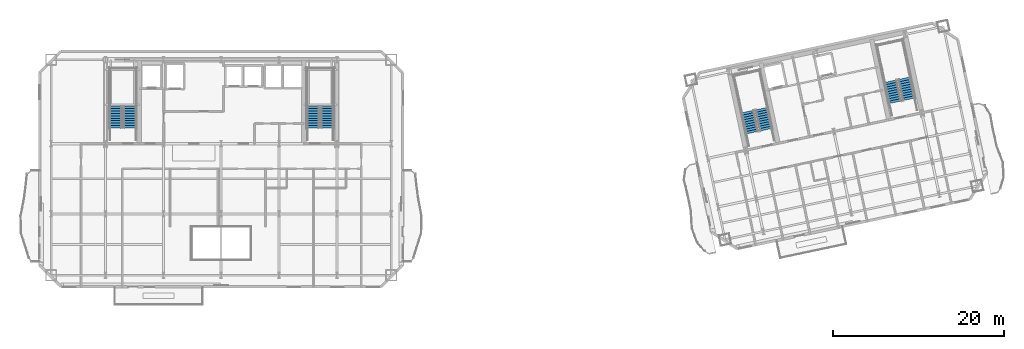
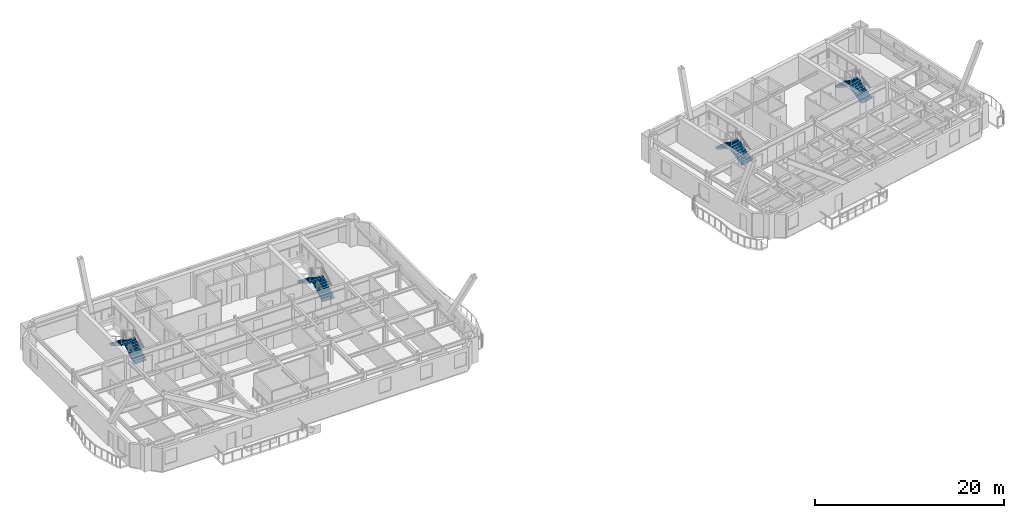
# One storey, part 9 of 13: 8 stair flights, 4 elements without a shape of their own.
"""IFC4 building model written with IfcOpenShell, lengths in metres."""

import ifcopenshell
import ifcopenshell.guid

model = None  # the IFC model being written
_history = None  # IfcOwnerHistory: only IFC2X3 demands one
_inside = {}  # id of a spatial element -> (the spatial element, [elements in it])
_under = {}  # id of a project, library or spatial element -> (it, [spatial elements below it])
_declared = {}  # id of a project -> (the project, [libraries it declares])
_typed = {}  # id of a type object -> (the type object, [elements of that type])
_made_of = {}  # id of a material, layer set ... -> (it, [elements and type objects made of it])


def new_model(schema):
    """Start an empty IFC model of exactly this schema.

    Asked for "IFC4X3", IfcOpenShell would pick the latest addendum, in which some entities
    have other attributes; the version numbers below select the first issue.
    IFC2X3 requires an IfcOwnerHistory on every rooted entity: one is made here for all.
    """
    global model, _history
    if schema == "IFC4X3":
        model = ifcopenshell.file(schema_version=(4, 3, 0, 0))
    else:
        model = ifcopenshell.file(schema=schema)
    _inside.clear()
    _under.clear()
    _declared.clear()
    _typed.clear()
    _made_of.clear()
    _history = None
    if model.schema == "IFC2X3":
        org = make("IfcOrganization", Name="unknown")
        user = make(
            "IfcPersonAndOrganization",
            ThePerson=make("IfcPerson", FamilyName="unknown"),
            TheOrganization=org,
        )
        app = make(
            "IfcApplication",
            ApplicationDeveloper=org,
            Version="unknown",
            ApplicationFullName="unknown",
            ApplicationIdentifier="unknown",
        )
        _history = make(
            "IfcOwnerHistory",
            OwningUser=user,
            OwningApplication=app,
            ChangeAction="ADDED",
            CreationDate=0,
        )
    return model


def make(cls, **values):
    """One entity of the class cls with the attributes given. An attribute that is None is left unset."""
    return model.create_entity(
        cls, **{name: value for name, value in values.items() if value is not None}
    )


def rooted(cls, **values):
    """An entity with a GlobalId (a new one), such as an element, a storey or a relation."""
    return make(cls, GlobalId=ifcopenshell.guid.new(), OwnerHistory=_history, **values)


def si_unit(unit_type, name, prefix=None):
    """IfcSIUnit, for example si_unit("LENGTHUNIT", "METRE", prefix="MILLI")."""
    return make("IfcSIUnit", UnitType=unit_type, Prefix=prefix, Name=name)


def assignment(units):
    """IfcUnitAssignment: the units of a project."""
    return None if units is None else make("IfcUnitAssignment", Units=units)


def point(xyz):
    """IfcCartesianPoint."""
    return None if xyz is None else make("IfcCartesianPoint", Coordinates=xyz)


def direction(xyz):
    """IfcDirection."""
    return None if xyz is None else make("IfcDirection", DirectionRatios=xyz)


def frame(location, z_axis=None, x_axis=None):
    """IfcAxis2Placement3D, a coordinate frame: its origin and axes. An axis left out is left unset."""
    return make(
        "IfcAxis2Placement3D",
        Location=point(location),
        Axis=direction(z_axis),
        RefDirection=direction(x_axis),
    )


def origin():
    """The frame at (0, 0, 0) with its axes left unset."""
    return frame((0.0, 0.0, 0.0))


def place(relative_to, where):
    """IfcLocalPlacement: puts the frame where relative to a parent placement (None: the world)."""
    return make(
        "IfcLocalPlacement", PlacementRelTo=relative_to, RelativePlacement=where
    )


def context(
    kind, dimensions, precision=None, world=None, true_north=None, identifier=None
):
    """IfcGeometricRepresentationContext, for example the 3D "Model" context."""
    return make(
        "IfcGeometricRepresentationContext",
        ContextIdentifier=identifier,
        ContextType=kind,
        CoordinateSpaceDimension=dimensions,
        Precision=precision,
        WorldCoordinateSystem=world,
        TrueNorth=true_north,
    )


def subcontext(parent, identifier, kind, view, scale=None):
    """IfcGeometricRepresentationSubContext, for example "Body" below "Model"."""
    return make(
        "IfcGeometricRepresentationSubContext",
        ContextIdentifier=identifier,
        ContextType=kind,
        ParentContext=parent,
        TargetScale=scale,
        TargetView=view,
    )


def project(units=None, contexts=None):
    """IfcProject with its units and contexts."""
    return rooted(
        "IfcProject",
        Name="project",
        RepresentationContexts=contexts,
        UnitsInContext=assignment(units),
    )


def spatial(cls, under=None, at=None, **own):
    """A site, building, storey or space (cls), placed at a placement, below another one or the project."""
    s = rooted(cls, ObjectPlacement=at, **own)
    if under is not None:
        _under.setdefault(under.id(), (under, []))[1].append(s)
    return s


def polyline(points):
    """IfcPolyline through the points."""
    return make("IfcPolyline", Points=[point(p) for p in points])


def outline(outer, holes=None, kind="AREA"):
    """IfcArbitraryClosedProfileDef: a profile drawn as a closed curve; with holes, ...WithVoids."""
    if holes is None:
        return make("IfcArbitraryClosedProfileDef", ProfileType=kind, OuterCurve=outer)
    return make(
        "IfcArbitraryProfileDefWithVoids",
        ProfileType=kind,
        OuterCurve=outer,
        InnerCurves=holes,
    )


def extrude(swept, where, along, depth):
    """IfcExtrudedAreaSolid: the profile swept, set in the frame where, extruded along a direction by depth."""
    return make(
        "IfcExtrudedAreaSolid",
        SweptArea=swept,
        Position=where,
        ExtrudedDirection=direction(along),
        Depth=depth,
    )


def shape(context_of_items, identifier, shape_type, items):
    """IfcShapeRepresentation: the items that make up one representation, for example the "Body"."""
    return make(
        "IfcShapeRepresentation",
        ContextOfItems=context_of_items,
        RepresentationIdentifier=identifier,
        RepresentationType=shape_type,
        Items=items,
    )


def material(Name=None, Category=None):
    """IfcMaterial."""
    return make("IfcMaterial", Name=Name, Category=Category)


def made_of(thing, what):
    """Note that an element or type object is made of a material, layer set ...; save() writes the relation."""
    if what is not None:
        _made_of.setdefault(what.id(), (what, []))[1].append(thing)
    return thing


def type_object(cls, material=None, **own):
    """A type object (cls), such as IfcWallType, which elements share."""
    return made_of(rooted(cls, **own), material)


def element(
    cls,
    number,
    at=None,
    inside=None,
    cuts=None,
    type_object=None,
    material=None,
    context=None,
    identifier="Body",
    shape_type=None,
    held_by="IfcProductDefinitionShape",
    body=None,
    shapes=None,
    **own,
):
    """One element of the class cls, such as IfcWall. Its Tag is "e" and its number.

    at: its placement. inside: the storey or other place that contains it. cuts: it is an
    opening in that element (IfcRelVoidsElement). A single representation is given by context,
    identifier, shape_type and body (its items); several are given by shapes. held_by: the class
    of the entity that holds the representations. save() writes the other relations.
    """
    e = rooted(cls, Tag="e%d" % number, ObjectPlacement=at, **own)
    if body is not None:
        shapes = [shape(context, identifier, shape_type, body)]
    if shapes is not None:
        e.Representation = make(held_by, Representations=shapes)
    if inside is not None:
        _inside.setdefault(inside.id(), (inside, []))[1].append(e)
    if cuts is not None:
        rooted(
            "IfcRelVoidsElement", RelatingBuildingElement=cuts, RelatedOpeningElement=e
        )
    if type_object is not None:
        _typed.setdefault(type_object.id(), (type_object, []))[1].append(e)
    return made_of(e, material)


def aggregate(whole, parts):
    """IfcRelAggregates: a whole, such as a stair, and the parts it consists of."""
    return rooted("IfcRelAggregates", RelatingObject=whole, RelatedObjects=parts)


def save(model, path):
    """Write the relations noted so far, then the file.

    IfcRelAggregates (storeys below a building ...), IfcRelContainedInSpatialStructure (elements
    in a storey), IfcRelDefinesByType, IfcRelAssociatesMaterial and IfcRelDeclares: one each for
    every whole, place, type object, material and project.
    """
    for whole, parts in _under.values():
        aggregate(whole, parts)
    for where, things in _inside.values():
        rooted(
            "IfcRelContainedInSpatialStructure",
            RelatedElements=things,
            RelatingStructure=where,
        )
    for kind, things in _typed.values():
        rooted("IfcRelDefinesByType", RelatedObjects=things, RelatingType=kind)
    for what, things in _made_of.values():
        rooted("IfcRelAssociatesMaterial", RelatedObjects=things, RelatingMaterial=what)
    for by, libraries in _declared.values():
        rooted("IfcRelDeclares", RelatingContext=by, RelatedDefinitions=libraries)
    model.write(path)


model = new_model("IFC4")

# Units and contexts
model_context = context("Model", 3, precision=1e-05, world=origin(), true_north=direction((0.0, 1.0)))
body_context = subcontext(model_context, "Body", "Model", "MODEL_VIEW")
ifc_project = project(units=[si_unit("LENGTHUNIT", "METRE"), si_unit("AREAUNIT", "SQUARE_METRE"), si_unit("VOLUMEUNIT", "CUBIC_METRE"), si_unit("PLANEANGLEUNIT", "RADIAN"), si_unit("MASSUNIT", "GRAM", prefix="KILO")], contexts=[model_context])

# Site, building, storey
site_placement = place(None, origin())
site = spatial("IfcSite", under=ifc_project, at=site_placement, CompositionType="ELEMENT")
building_placement = place(site_placement, origin())
building = spatial("IfcBuilding", under=site, at=building_placement, Name="Haevon Station Towers", CompositionType="ELEMENT")
storey_placement = place(building_placement, frame((0.0, 0.0, 146.10009765625)))
storey = spatial("IfcBuildingStorey", under=building, at=storey_placement, Name="L39", CompositionType="ELEMENT", Elevation=146.10009765625)

# Stair, stair flights
ifc_material = material(Name="Concrete C40/50", Category="concrete")
stair_type = type_object("IfcStairType", Name="STR-DL1450", PredefinedType="USERDEFINED", material=ifc_material)
stair_1_placement = place(storey_placement, origin())
stair_1 = element("IfcStair", 1, at=stair_1_placement, inside=storey, type_object=stair_type, Name="L39 Escape Stair ST1", ObjectType="TWO_RETURN_STAIR", PredefinedType="USERDEFINED")
stair_flight_type = type_object("IfcStairFlightType", Name="STF-ST1450", PredefinedType="STRAIGHT", material=ifc_material)
stair_flight_1_placement = place(storey_placement, frame((26.85498046875, 40.050048828125, 0.0), z_axis=(0.0, 0.0, 1.0), x_axis=(0.0, 1.0, 0.0)))
stair_flight_1 = element("IfcStairFlight", 2, at=stair_flight_1_placement, type_object=stair_flight_type, Name="L39 ST1 Flight 1", NumberOfRisers=10, NumberOfTreads=9, PredefinedType="STRAIGHT", RiserHeight=0.165, TreadLength=0.28, context=body_context, shape_type="SweptSolid", body=[
    extrude(outline(polyline([(0.0, 0.0), (0.0, 0.1650390625), (0.280029296875, 0.1650390625), (0.280029296875, 0.330078125), (0.56005859375, 0.330078125), (0.56005859375, 0.4951171875), (0.840087890625, 0.4951171875), (0.840087890625, 0.659912109375), (1.1201171875, 0.659912109375), (1.1201171875, 0.824951171875), (1.39990234375, 0.824951171875), (1.39990234375, 0.989990234375), (1.679931640625, 0.989990234375), (1.679931640625, 1.155029296875), (1.9599609375, 1.155029296875), (1.9599609375, 1.320068359375), (2.239990234375, 1.320068359375), (2.239990234375, 1.485107421875), (2.52001953125, 1.485107421875), (2.52001953125, 1.64990234375), (2.52001953125, 1.29931640625), (0.31494140625, 0.0), (0.0, 0.0)])), frame((0.0, 0.72509765625, 0.0), z_axis=(0.0, -1.0, 0.0), x_axis=(1.0, 0.0, 0.0)), (0.0, 0.0, 1.0), 1.449951171875),
])
stair_flight_2_placement = place(storey_placement, frame((25.205078125, 42.570068359375, 1.64990234375), z_axis=(0.0, 0.0, 1.0), x_axis=(0.0, -1.0, 0.0)))
stair_flight_2 = element("IfcStairFlight", 3, at=stair_flight_2_placement, type_object=stair_flight_type, Name="L39 ST1 Flight 2", NumberOfRisers=10, NumberOfTreads=9, PredefinedType="STRAIGHT", RiserHeight=0.165, TreadLength=0.28, context=body_context, shape_type="SweptSolid", body=[
    extrude(outline(polyline([(0.0, 0.0), (0.0, 0.1650390625), (0.280029296875, 0.1650390625), (0.280029296875, 0.330078125), (0.56005859375, 0.330078125), (0.56005859375, 0.4951171875), (0.840087890625, 0.4951171875), (0.840087890625, 0.659912109375), (1.1201171875, 0.659912109375), (1.1201171875, 0.824951171875), (1.39990234375, 0.824951171875), (1.39990234375, 0.989990234375), (1.679931640625, 0.989990234375), (1.679931640625, 1.155029296875), (1.9599609375, 1.155029296875), (1.9599609375, 1.320068359375), (2.239990234375, 1.320068359375), (2.239990234375, 1.485107421875), (2.52001953125, 1.485107421875), (2.52001953125, 1.64990234375), (2.52001953125, 1.29931640625), (0.31494140625, 0.0), (0.0, 0.0)])), frame((0.0, 0.72509765625, 0.0), z_axis=(0.0, -1.0, 0.0), x_axis=(1.0, 0.0, 0.0)), (0.0, 0.0, 1.0), 1.449951171875),
])
aggregate(stair_1, [stair_flight_1, stair_flight_2])

stair_2_placement = place(storey_placement, origin())
stair_2 = element("IfcStair", 4, at=stair_2_placement, inside=storey, type_object=stair_type, Name="L39 Escape Stair ST2", ObjectType="TWO_RETURN_STAIR", PredefinedType="USERDEFINED")
stair_flight_3_placement = place(storey_placement, frame((49.89501953125, 40.050048828125, 0.0), z_axis=(0.0, 0.0, 1.0), x_axis=(0.0, 1.0, 0.0)))
stair_flight_3 = element("IfcStairFlight", 5, at=stair_flight_3_placement, type_object=stair_flight_type, Name="L39 ST2 Flight 1", NumberOfRisers=10, NumberOfTreads=9, PredefinedType="STRAIGHT", RiserHeight=0.165, TreadLength=0.28, context=body_context, shape_type="SweptSolid", body=[
    extrude(outline(polyline([(0.0, 0.0), (0.0, 0.1650390625), (0.280029296875, 0.1650390625), (0.280029296875, 0.330078125), (0.56005859375, 0.330078125), (0.56005859375, 0.4951171875), (0.840087890625, 0.4951171875), (0.840087890625, 0.659912109375), (1.1201171875, 0.659912109375), (1.1201171875, 0.824951171875), (1.39990234375, 0.824951171875), (1.39990234375, 0.989990234375), (1.679931640625, 0.989990234375), (1.679931640625, 1.155029296875), (1.9599609375, 1.155029296875), (1.9599609375, 1.320068359375), (2.239990234375, 1.320068359375), (2.239990234375, 1.485107421875), (2.52001953125, 1.485107421875), (2.52001953125, 1.64990234375), (2.52001953125, 1.29931640625), (0.31494140625, 0.0), (0.0, 0.0)])), frame((0.0, 0.72509765625, 0.0), z_axis=(0.0, -1.0, 0.0), x_axis=(1.0, 0.0, 0.0)), (0.0, 0.0, 1.0), 1.449951171875),
])
stair_flight_4_placement = place(storey_placement, frame((48.2451171875, 42.570068359375, 1.64990234375), z_axis=(0.0, 0.0, 1.0), x_axis=(0.0, -1.0, 0.0)))
stair_flight_4 = element("IfcStairFlight", 6, at=stair_flight_4_placement, type_object=stair_flight_type, Name="L39 ST2 Flight 2", NumberOfRisers=10, NumberOfTreads=9, PredefinedType="STRAIGHT", RiserHeight=0.165, TreadLength=0.28, context=body_context, shape_type="SweptSolid", body=[
    extrude(outline(polyline([(0.0, 0.0), (0.0, 0.1650390625), (0.280029296875, 0.1650390625), (0.280029296875, 0.330078125), (0.56005859375, 0.330078125), (0.56005859375, 0.4951171875), (0.840087890625, 0.4951171875), (0.840087890625, 0.659912109375), (1.1201171875, 0.659912109375), (1.1201171875, 0.824951171875), (1.39990234375, 0.824951171875), (1.39990234375, 0.989990234375), (1.679931640625, 0.989990234375), (1.679931640625, 1.155029296875), (1.9599609375, 1.155029296875), (1.9599609375, 1.320068359375), (2.239990234375, 1.320068359375), (2.239990234375, 1.485107421875), (2.52001953125, 1.485107421875), (2.52001953125, 1.64990234375), (2.52001953125, 1.29931640625), (0.31494140625, 0.0), (0.0, 0.0)])), frame((0.0, 0.72509765625, 0.0), z_axis=(0.0, -1.0, 0.0), x_axis=(1.0, 0.0, 0.0)), (0.0, 0.0, 1.0), 1.449951171875),
])
aggregate(stair_2, [stair_flight_3, stair_flight_4])

stair_3_placement = place(storey_placement, origin())
stair_3 = element("IfcStair", 7, at=stair_3_placement, inside=storey, type_object=stair_type, Name="L39 Escape Stair ST3", ObjectType="TWO_RETURN_STAIR", PredefinedType="USERDEFINED")
stair_flight_5_placement = place(storey_placement, frame((101.1015625, 39.8330078125, 0.0), z_axis=(0.0, 0.0, 1.0), x_axis=(-0.207911690818, 0.978147600734, 0.0)))
stair_flight_5 = element("IfcStairFlight", 8, at=stair_flight_5_placement, type_object=stair_flight_type, Name="L39 ST3 Flight 1", NumberOfRisers=10, NumberOfTreads=9, PredefinedType="STRAIGHT", RiserHeight=0.165, TreadLength=0.28, context=body_context, shape_type="SweptSolid", body=[
    extrude(outline(polyline([(0.0, 0.0), (0.0, 0.1650390625), (0.280029296875, 0.1650390625), (0.280029296875, 0.330078125), (0.56005859375, 0.330078125), (0.56005859375, 0.4951171875), (0.840087890625, 0.4951171875), (0.840087890625, 0.659912109375), (1.1201171875, 0.659912109375), (1.1201171875, 0.824951171875), (1.39990234375, 0.824951171875), (1.39990234375, 0.989990234375), (1.679931640625, 0.989990234375), (1.679931640625, 1.155029296875), (1.9599609375, 1.155029296875), (1.9599609375, 1.320068359375), (2.239990234375, 1.320068359375), (2.239990234375, 1.485107421875), (2.52001953125, 1.485107421875), (2.52001953125, 1.64990234375), (2.52001953125, 1.29931640625), (0.31494140625, 0.0), (0.0, 0.0)])), frame((0.0, 0.72509765625, 0.0), z_axis=(0.0, -1.0, 0.0), x_axis=(1.0, 0.0, 0.0)), (0.0, 0.0, 1.0), 1.449951171875),
])
stair_flight_6_placement = place(storey_placement, frame((98.9638671875, 41.955078125, 1.64990234375), z_axis=(0.0, 0.0, 1.0), x_axis=(0.207911690818, -0.978147600734, 0.0)))
stair_flight_6 = element("IfcStairFlight", 9, at=stair_flight_6_placement, type_object=stair_flight_type, Name="L39 ST3 Flight 2", NumberOfRisers=10, NumberOfTreads=9, PredefinedType="STRAIGHT", RiserHeight=0.165, TreadLength=0.28, context=body_context, shape_type="SweptSolid", body=[
    extrude(outline(polyline([(0.0, 0.0), (0.0, 0.1650390625), (0.280029296875, 0.1650390625), (0.280029296875, 0.330078125), (0.56005859375, 0.330078125), (0.56005859375, 0.4951171875), (0.840087890625, 0.4951171875), (0.840087890625, 0.659912109375), (1.1201171875, 0.659912109375), (1.1201171875, 0.824951171875), (1.39990234375, 0.824951171875), (1.39990234375, 0.989990234375), (1.679931640625, 0.989990234375), (1.679931640625, 1.155029296875), (1.9599609375, 1.155029296875), (1.9599609375, 1.320068359375), (2.239990234375, 1.320068359375), (2.239990234375, 1.485107421875), (2.52001953125, 1.485107421875), (2.52001953125, 1.64990234375), (2.52001953125, 1.29931640625), (0.31494140625, 0.0), (0.0, 0.0)])), frame((0.0, 0.72509765625, 0.0), z_axis=(0.0, -1.0, 0.0), x_axis=(1.0, 0.0, 0.0)), (0.0, 0.0, 1.0), 1.449951171875),
])
aggregate(stair_3, [stair_flight_5, stair_flight_6])

stair_4_placement = place(storey_placement, origin())
stair_4 = element("IfcStair", 10, at=stair_4_placement, inside=storey, type_object=stair_type, Name="L39 Escape Stair ST4", ObjectType="TWO_RETURN_STAIR", PredefinedType="USERDEFINED")
stair_flight_7_placement = place(storey_placement, frame((117.788818359375, 43.380126953125, 0.0), z_axis=(0.0, 0.0, 1.0), x_axis=(-0.207911690818, 0.978147600734, 0.0)))
stair_flight_7 = element("IfcStairFlight", 11, at=stair_flight_7_placement, type_object=stair_flight_type, Name="L39 ST4 Flight 1", NumberOfRisers=10, NumberOfTreads=9, PredefinedType="STRAIGHT", RiserHeight=0.165, TreadLength=0.28, context=body_context, shape_type="SweptSolid", body=[
    extrude(outline(polyline([(0.0, 0.0), (0.0, 0.1650390625), (0.280029296875, 0.1650390625), (0.280029296875, 0.330078125), (0.56005859375, 0.330078125), (0.56005859375, 0.4951171875), (0.840087890625, 0.4951171875), (0.840087890625, 0.659912109375), (1.1201171875, 0.659912109375), (1.1201171875, 0.824951171875), (1.39990234375, 0.824951171875), (1.39990234375, 0.989990234375), (1.679931640625, 0.989990234375), (1.679931640625, 1.155029296875), (1.9599609375, 1.155029296875), (1.9599609375, 1.320068359375), (2.239990234375, 1.320068359375), (2.239990234375, 1.485107421875), (2.52001953125, 1.485107421875), (2.52001953125, 1.64990234375), (2.52001953125, 1.29931640625), (0.31494140625, 0.0), (0.0, 0.0)])), frame((0.0, 0.72509765625, 0.0), z_axis=(0.0, -1.0, 0.0), x_axis=(1.0, 0.0, 0.0)), (0.0, 0.0, 1.0), 1.449951171875),
])
stair_flight_8_placement = place(storey_placement, frame((115.65087890625, 45.501953125, 1.64990234375), z_axis=(0.0, 0.0, 1.0), x_axis=(0.207911690818, -0.978147600734, 0.0)))
stair_flight_8 = element("IfcStairFlight", 12, at=stair_flight_8_placement, type_object=stair_flight_type, Name="L39 ST4 Flight 2", NumberOfRisers=10, NumberOfTreads=9, PredefinedType="STRAIGHT", RiserHeight=0.165, TreadLength=0.28, context=body_context, shape_type="SweptSolid", body=[
    extrude(outline(polyline([(0.0, 0.0), (0.0, 0.1650390625), (0.280029296875, 0.1650390625), (0.280029296875, 0.330078125), (0.56005859375, 0.330078125), (0.56005859375, 0.4951171875), (0.840087890625, 0.4951171875), (0.840087890625, 0.659912109375), (1.1201171875, 0.659912109375), (1.1201171875, 0.824951171875), (1.39990234375, 0.824951171875), (1.39990234375, 0.989990234375), (1.679931640625, 0.989990234375), (1.679931640625, 1.155029296875), (1.9599609375, 1.155029296875), (1.9599609375, 1.320068359375), (2.239990234375, 1.320068359375), (2.239990234375, 1.485107421875), (2.52001953125, 1.485107421875), (2.52001953125, 1.64990234375), (2.52001953125, 1.29931640625), (0.31494140625, 0.0), (0.0, 0.0)])), frame((0.0, 0.72509765625, 0.0), z_axis=(0.0, -1.0, 0.0), x_axis=(1.0, 0.0, 0.0)), (0.0, 0.0, 1.0), 1.449951171875),
])
aggregate(stair_4, [stair_flight_7, stair_flight_8])

save(model, "model.ifc")
